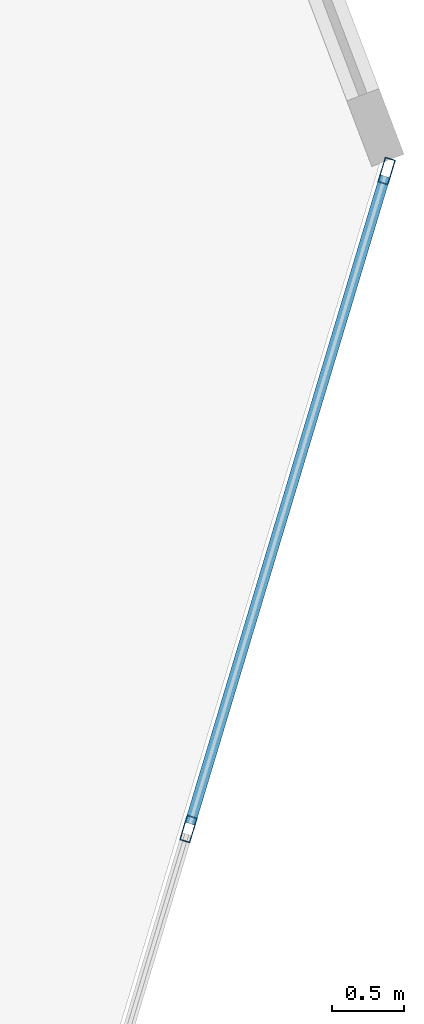
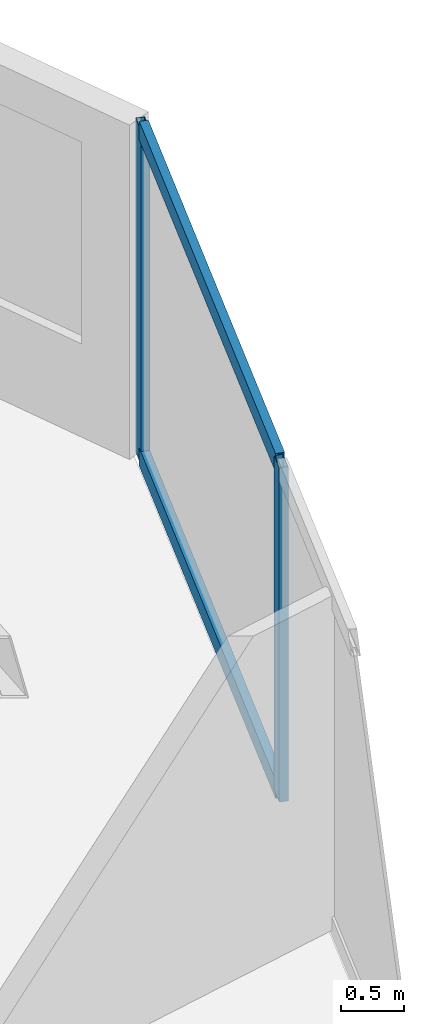
# One storey, part 11 of 19: 4 members, 1 element without a shape of its own.
"""IFC4 building model written with IfcOpenShell, lengths in metres."""

import ifcopenshell
import ifcopenshell.guid

model = None  # the IFC model being written
_history = None  # IfcOwnerHistory: only IFC2X3 demands one
_inside = {}  # id of a spatial element -> (the spatial element, [elements in it])
_under = {}  # id of a project, library or spatial element -> (it, [spatial elements below it])
_declared = {}  # id of a project -> (the project, [libraries it declares])
_typed = {}  # id of a type object -> (the type object, [elements of that type])
_made_of = {}  # id of a material, layer set ... -> (it, [elements and type objects made of it])


def new_model(schema):
    """Start an empty IFC model of exactly this schema.

    Asked for "IFC4X3", IfcOpenShell would pick the latest addendum, in which some entities
    have other attributes; the version numbers below select the first issue.
    IFC2X3 requires an IfcOwnerHistory on every rooted entity: one is made here for all.
    """
    global model, _history
    if schema == "IFC4X3":
        model = ifcopenshell.file(schema_version=(4, 3, 0, 0))
    else:
        model = ifcopenshell.file(schema=schema)
    _inside.clear()
    _under.clear()
    _declared.clear()
    _typed.clear()
    _made_of.clear()
    _history = None
    if model.schema == "IFC2X3":
        org = make("IfcOrganization", Name="unknown")
        user = make(
            "IfcPersonAndOrganization",
            ThePerson=make("IfcPerson", FamilyName="unknown"),
            TheOrganization=org,
        )
        app = make(
            "IfcApplication",
            ApplicationDeveloper=org,
            Version="unknown",
            ApplicationFullName="unknown",
            ApplicationIdentifier="unknown",
        )
        _history = make(
            "IfcOwnerHistory",
            OwningUser=user,
            OwningApplication=app,
            ChangeAction="ADDED",
            CreationDate=0,
        )
    return model


def make(cls, **values):
    """One entity of the class cls with the attributes given. An attribute that is None is left unset."""
    return model.create_entity(
        cls, **{name: value for name, value in values.items() if value is not None}
    )


def rooted(cls, **values):
    """An entity with a GlobalId (a new one), such as an element, a storey or a relation."""
    return make(cls, GlobalId=ifcopenshell.guid.new(), OwnerHistory=_history, **values)


def si_unit(unit_type, name, prefix=None):
    """IfcSIUnit, for example si_unit("LENGTHUNIT", "METRE", prefix="MILLI")."""
    return make("IfcSIUnit", UnitType=unit_type, Prefix=prefix, Name=name)


def assignment(units):
    """IfcUnitAssignment: the units of a project."""
    return None if units is None else make("IfcUnitAssignment", Units=units)


def point(xyz):
    """IfcCartesianPoint."""
    return None if xyz is None else make("IfcCartesianPoint", Coordinates=xyz)


def direction(xyz):
    """IfcDirection."""
    return None if xyz is None else make("IfcDirection", DirectionRatios=xyz)


def frame(location, z_axis=None, x_axis=None):
    """IfcAxis2Placement3D, a coordinate frame: its origin and axes. An axis left out is left unset."""
    return make(
        "IfcAxis2Placement3D",
        Location=point(location),
        Axis=direction(z_axis),
        RefDirection=direction(x_axis),
    )


def frame_2d(location, x_axis=None):
    """IfcAxis2Placement2D, a coordinate frame in the plane: its origin and x axis."""
    return make(
        "IfcAxis2Placement2D", Location=point(location), RefDirection=direction(x_axis)
    )


def origin():
    """The frame at (0, 0, 0) with its axes left unset."""
    return frame((0.0, 0.0, 0.0))


def origin_2d():
    """The frame at (0, 0) in the plane with its x axis left unset."""
    return frame_2d((0.0, 0.0))


def place(relative_to, where):
    """IfcLocalPlacement: puts the frame where relative to a parent placement (None: the world)."""
    return make(
        "IfcLocalPlacement", PlacementRelTo=relative_to, RelativePlacement=where
    )


def context(
    kind, dimensions, precision=None, world=None, true_north=None, identifier=None
):
    """IfcGeometricRepresentationContext, for example the 3D "Model" context."""
    return make(
        "IfcGeometricRepresentationContext",
        ContextIdentifier=identifier,
        ContextType=kind,
        CoordinateSpaceDimension=dimensions,
        Precision=precision,
        WorldCoordinateSystem=world,
        TrueNorth=true_north,
    )


def subcontext(parent, identifier, kind, view, scale=None):
    """IfcGeometricRepresentationSubContext, for example "Body" below "Model"."""
    return make(
        "IfcGeometricRepresentationSubContext",
        ContextIdentifier=identifier,
        ContextType=kind,
        ParentContext=parent,
        TargetScale=scale,
        TargetView=view,
    )


def project(units=None, contexts=None):
    """IfcProject with its units and contexts."""
    return rooted(
        "IfcProject",
        Name="project",
        RepresentationContexts=contexts,
        UnitsInContext=assignment(units),
    )


def spatial(cls, under=None, at=None, **own):
    """A site, building, storey or space (cls), placed at a placement, below another one or the project."""
    s = rooted(cls, ObjectPlacement=at, **own)
    if under is not None:
        _under.setdefault(under.id(), (under, []))[1].append(s)
    return s


def profile(cls, at=None, kind="AREA", **sizes):
    """A parametric profile (cls). Its sizes go by their IFC names, for example OverallWidth=200.0."""
    return make(cls, ProfileType=kind, Position=at, **sizes)


def hollow_rectangle(**sizes):
    """IfcRectangleHollowProfileDef."""
    return profile("IfcRectangleHollowProfileDef", **sizes)


def extrude(swept, where, along, depth):
    """IfcExtrudedAreaSolid: the profile swept, set in the frame where, extruded along a direction by depth."""
    return make(
        "IfcExtrudedAreaSolid",
        SweptArea=swept,
        Position=where,
        ExtrudedDirection=direction(along),
        Depth=depth,
    )


def shape(context_of_items, identifier, shape_type, items):
    """IfcShapeRepresentation: the items that make up one representation, for example the "Body"."""
    return make(
        "IfcShapeRepresentation",
        ContextOfItems=context_of_items,
        RepresentationIdentifier=identifier,
        RepresentationType=shape_type,
        Items=items,
    )


def source(mapping_origin, context_of_items, identifier, shape_type, items):
    """IfcRepresentationMap: a shape defined once, which mapped items show again and again."""
    return make(
        "IfcRepresentationMap",
        MappingOrigin=mapping_origin,
        MappedRepresentation=shape(context_of_items, identifier, shape_type, items),
    )


def transform(
    local_origin,
    x_axis=None,
    y_axis=None,
    z_axis=None,
    scale=None,
    scale2=None,
    scale3=None,
    uniform=True,
):
    """IfcCartesianTransformationOperator3D, or its non-uniform kind. x_axis, y_axis, z_axis: its Axis1, 2, 3."""
    if uniform:
        return make(
            "IfcCartesianTransformationOperator3D",
            Axis1=direction(x_axis),
            Axis2=direction(y_axis),
            LocalOrigin=point(local_origin),
            Scale=scale,
            Axis3=direction(z_axis),
        )
    return make(
        "IfcCartesianTransformationOperator3DnonUniform",
        Axis1=direction(x_axis),
        Axis2=direction(y_axis),
        LocalOrigin=point(local_origin),
        Scale=scale,
        Axis3=direction(z_axis),
        Scale2=scale2,
        Scale3=scale3,
    )


def mapped(mapping_source, mapping_target):
    """IfcMappedItem: shows the shape of a source again, moved by a transform."""
    return make(
        "IfcMappedItem", MappingSource=mapping_source, MappingTarget=mapping_target
    )


def material(Name=None, Category=None):
    """IfcMaterial."""
    return make("IfcMaterial", Name=Name, Category=Category)


def layer(
    of_material, thickness, ventilated=None, Name=None, Category=None, Priority=None
):
    """IfcMaterialLayer: one layer of a wall or slab, of a material (None: an air gap)."""
    return make(
        "IfcMaterialLayer",
        Material=of_material,
        LayerThickness=thickness,
        IsVentilated=ventilated,
        Name=Name,
        Category=Category,
        Priority=Priority,
    )


def layer_set(layers, Name=None):
    """IfcMaterialLayerSet."""
    return make("IfcMaterialLayerSet", MaterialLayers=layers, LayerSetName=Name)


def material_profile(
    of_material, cross_section, Name=None, Category=None, Priority=None
):
    """IfcMaterialProfile: a cross section and its material."""
    return make(
        "IfcMaterialProfile",
        Name=Name,
        Material=of_material,
        Profile=cross_section,
        Priority=Priority,
        Category=Category,
    )


def profile_set(profiles, Name=None, composite=None):
    """IfcMaterialProfileSet."""
    return make(
        "IfcMaterialProfileSet",
        Name=Name,
        MaterialProfiles=profiles,
        CompositeProfile=composite,
    )


def made_of(thing, what):
    """Note that an element or type object is made of a material, layer set ...; save() writes the relation."""
    if what is not None:
        _made_of.setdefault(what.id(), (what, []))[1].append(thing)
    return thing


def type_object(cls, material=None, **own):
    """A type object (cls), such as IfcWallType, which elements share."""
    return made_of(rooted(cls, **own), material)


def type_shapes(of_type, sources):
    """Give a type object the sources (RepresentationMaps) that its elements show as mapped items."""
    of_type.RepresentationMaps = sources


def element(
    cls,
    number,
    at=None,
    inside=None,
    cuts=None,
    type_object=None,
    material=None,
    context=None,
    identifier="Body",
    shape_type=None,
    held_by="IfcProductDefinitionShape",
    body=None,
    shapes=None,
    **own,
):
    """One element of the class cls, such as IfcWall. Its Tag is "e" and its number.

    at: its placement. inside: the storey or other place that contains it. cuts: it is an
    opening in that element (IfcRelVoidsElement). A single representation is given by context,
    identifier, shape_type and body (its items); several are given by shapes. held_by: the class
    of the entity that holds the representations. save() writes the other relations.
    """
    e = rooted(cls, Tag="e%d" % number, ObjectPlacement=at, **own)
    if body is not None:
        shapes = [shape(context, identifier, shape_type, body)]
    if shapes is not None:
        e.Representation = make(held_by, Representations=shapes)
    if inside is not None:
        _inside.setdefault(inside.id(), (inside, []))[1].append(e)
    if cuts is not None:
        rooted(
            "IfcRelVoidsElement", RelatingBuildingElement=cuts, RelatedOpeningElement=e
        )
    if type_object is not None:
        _typed.setdefault(type_object.id(), (type_object, []))[1].append(e)
    return made_of(e, material)


def aggregate(whole, parts):
    """IfcRelAggregates: a whole, such as a stair, and the parts it consists of."""
    return rooted("IfcRelAggregates", RelatingObject=whole, RelatedObjects=parts)


def save(model, path):
    """Write the relations noted so far, then the file.

    IfcRelAggregates (storeys below a building ...), IfcRelContainedInSpatialStructure (elements
    in a storey), IfcRelDefinesByType, IfcRelAssociatesMaterial and IfcRelDeclares: one each for
    every whole, place, type object, material and project.
    """
    for whole, parts in _under.values():
        aggregate(whole, parts)
    for where, things in _inside.values():
        rooted(
            "IfcRelContainedInSpatialStructure",
            RelatedElements=things,
            RelatingStructure=where,
        )
    for kind, things in _typed.values():
        rooted("IfcRelDefinesByType", RelatedObjects=things, RelatingType=kind)
    for what, things in _made_of.values():
        rooted("IfcRelAssociatesMaterial", RelatedObjects=things, RelatingMaterial=what)
    for by, libraries in _declared.values():
        rooted("IfcRelDeclares", RelatingContext=by, RelatedDefinitions=libraries)
    model.write(path)


model = new_model("IFC4")

# Units and contexts
model_context = context("Model", 3, precision=1e-05, world=origin(), true_north=direction((0.0, 1.0)))
body_context = subcontext(model_context, "Body", "Model", "MODEL_VIEW")
ifc_project = project(units=[si_unit("LENGTHUNIT", "METRE"), si_unit("AREAUNIT", "SQUARE_METRE"), si_unit("VOLUMEUNIT", "CUBIC_METRE"), si_unit("PLANEANGLEUNIT", "RADIAN"), si_unit("MASSUNIT", "GRAM", prefix="KILO")], contexts=[model_context])

# Site, building, storey
site_placement = place(None, origin())
site = spatial("IfcSite", under=ifc_project, at=site_placement, CompositionType="ELEMENT")
building_placement = place(site_placement, origin())
building = spatial("IfcBuilding", under=site, at=building_placement, Name="Talar Marvaseh", CompositionType="ELEMENT")
storey_placement = place(building_placement, frame((0.0, 0.0, 177.5)))
storey = spatial("IfcBuildingStorey", under=building, at=storey_placement, Name="L46", CompositionType="ELEMENT", Elevation=177.5)

# Curtain wall, members
ifc_material = material(Name="Architectural Aluminium", Category="aluminium")
ifc_layer = layer(ifc_material, 0.18994140625)
ifc_layer_set = layer_set([ifc_layer], Name="Architectural Aluminium")
curtain_wall_type = type_object("IfcCurtainWallType", Name="Unitised Solar Atelier Curtain Wall Z3", PredefinedType="NOTDEFINED", material=ifc_layer_set)
curtain_wall_placement = place(storey_placement, origin())
curtain_wall = element("IfcCurtainWall", 1, at=curtain_wall_placement, inside=storey, type_object=curtain_wall_type, Name="L46 Unitised Solar Atelier Curtain Wall Z3", PredefinedType="NOTDEFINED")
ifc_material_profile_1 = material_profile(ifc_material, hollow_rectangle(XDim=0.074951171875, YDim=0.179931640625, WallThickness=0.0048828125, at=origin_2d()), Name="RHS180x75x5")
ifc_profile_set_1 = profile_set([ifc_material_profile_1], Name="Architectural Aluminium")
member_type_1 = type_object("IfcMemberType", Name="Unitised Curtain Wall Standard Mullion RHS180x75x5", PredefinedType="MULLION", material=ifc_profile_set_1)
shared_shape_1 = source(origin(), body_context, "Body", "SweptSolid", [
    extrude(hollow_rectangle(XDim=0.074951171875, YDim=0.179931640625, WallThickness=0.0048828125, at=origin_2d()), origin(), (0.0, 0.0, 1.0), 3.22998046875),
])
type_shapes(member_type_1, [shared_shape_1])
member_1_placement = place(storey_placement, frame((43.532958984375, 38.150146484375, 0.0), z_axis=(0.0, 0.0, 1.0), x_axis=(0.957526109569, -0.288346578779, 0.0)))
member_1 = element("IfcMember", 2, at=member_1_placement, type_object=member_type_1, Name="CW-Z3 mullion 1", PredefinedType="MULLION", context=body_context, shape_type="MappedRepresentation", body=[
    mapped(shared_shape_1, transform((0.0, 0.0, 0.0), x_axis=(1.0, 0.0, 0.0), y_axis=(0.0, 1.0, 0.0), z_axis=(0.0, 0.0, 1.0), scale=1.0)),
])
member_2_placement = place(storey_placement, frame((42.1533203125, 33.56884765625, 0.0), z_axis=(0.0, 0.0, 1.0), x_axis=(0.957526109569, -0.288346578779, 0.0)))
member_2 = element("IfcMember", 3, at=member_2_placement, type_object=member_type_1, Name="CW-Z3 mullion 2", PredefinedType="MULLION", context=body_context, shape_type="MappedRepresentation", body=[
    mapped(shared_shape_1, transform((0.0, 0.0, 0.0), x_axis=(1.0, 0.0, 0.0), y_axis=(0.0, 1.0, 0.0), z_axis=(0.0, 0.0, 1.0), scale=1.0)),
])
ifc_material_profile_2 = material_profile(ifc_material, hollow_rectangle(XDim=0.074951171875, YDim=0.179931640625, WallThickness=0.0048828125, at=origin_2d()), Name="RHS180x75x5")
ifc_profile_set_2 = profile_set([ifc_material_profile_2], Name="Architectural Aluminium")
member_type_2 = type_object("IfcMemberType", Name="Unitised Curtain Wall Transom RHS180x75x5", PredefinedType="USERDEFINED", material=ifc_profile_set_2)
shared_shape_2 = source(origin(), body_context, "Body", "SweptSolid", [
    extrude(hollow_rectangle(XDim=0.074951171875, YDim=0.179931640625, WallThickness=0.0048828125, at=origin_2d()), origin(), (0.0, 0.0, 1.0), 4.70947265625),
])
type_shapes(member_type_2, [shared_shape_2])
member_3_placement = place(storey_placement, frame((43.52197265625, 38.1142578125, 0.03759765625), z_axis=(-0.288332211811, -0.957530435878, 0.0), x_axis=(0.957530435878, -0.288332211811, 0.0)))
member_3 = element("IfcMember", 4, at=member_3_placement, type_object=member_type_2, Name="CW-Z3 transom 1.1", ObjectType="TRANSOM", PredefinedType="USERDEFINED", context=body_context, shape_type="MappedRepresentation", body=[
    mapped(shared_shape_2, transform((0.0, 0.0, 0.0), x_axis=(1.0, 0.0, 0.0), y_axis=(0.0, 1.0, 0.0), z_axis=(0.0, 0.0, 1.0), scale=1.0)),
])
member_4_placement = place(storey_placement, frame((43.52197265625, 38.1142578125, 3.1923828125), z_axis=(-0.288332211811, -0.957530435878, 0.0), x_axis=(0.957530435878, -0.288332211811, 0.0)))
member_4 = element("IfcMember", 5, at=member_4_placement, type_object=member_type_2, Name="CW-Z3 transom 1.2", ObjectType="TRANSOM", PredefinedType="USERDEFINED", context=body_context, shape_type="MappedRepresentation", body=[
    mapped(shared_shape_2, transform((0.0, 0.0, 0.0), x_axis=(1.0, 0.0, 0.0), y_axis=(0.0, 1.0, 0.0), z_axis=(0.0, 0.0, 1.0), scale=1.0)),
])
aggregate(curtain_wall, [member_1, member_2, member_3, member_4])

save(model, "model.ifc")
